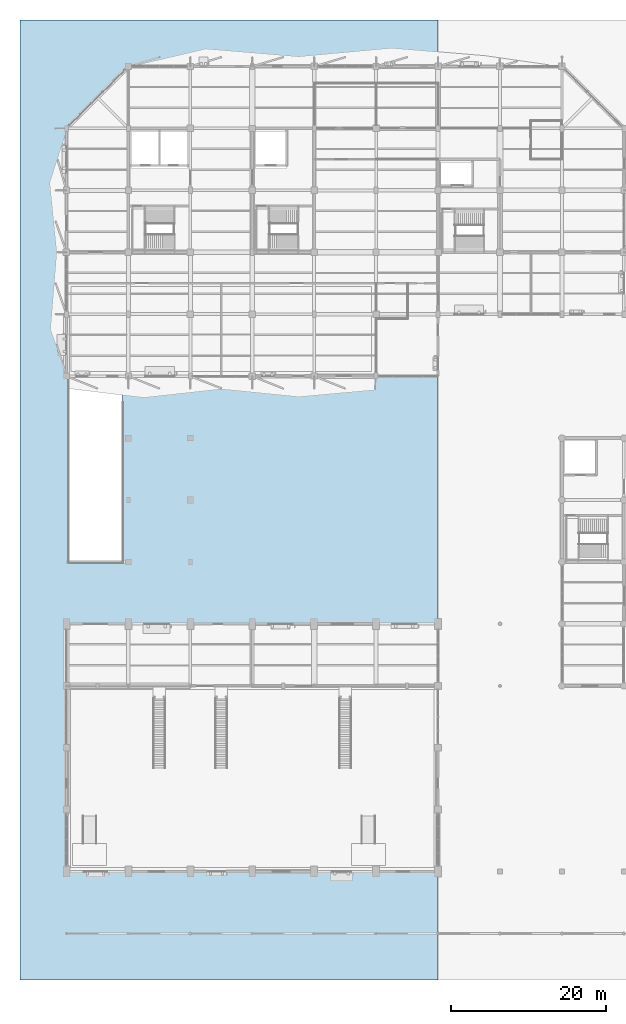
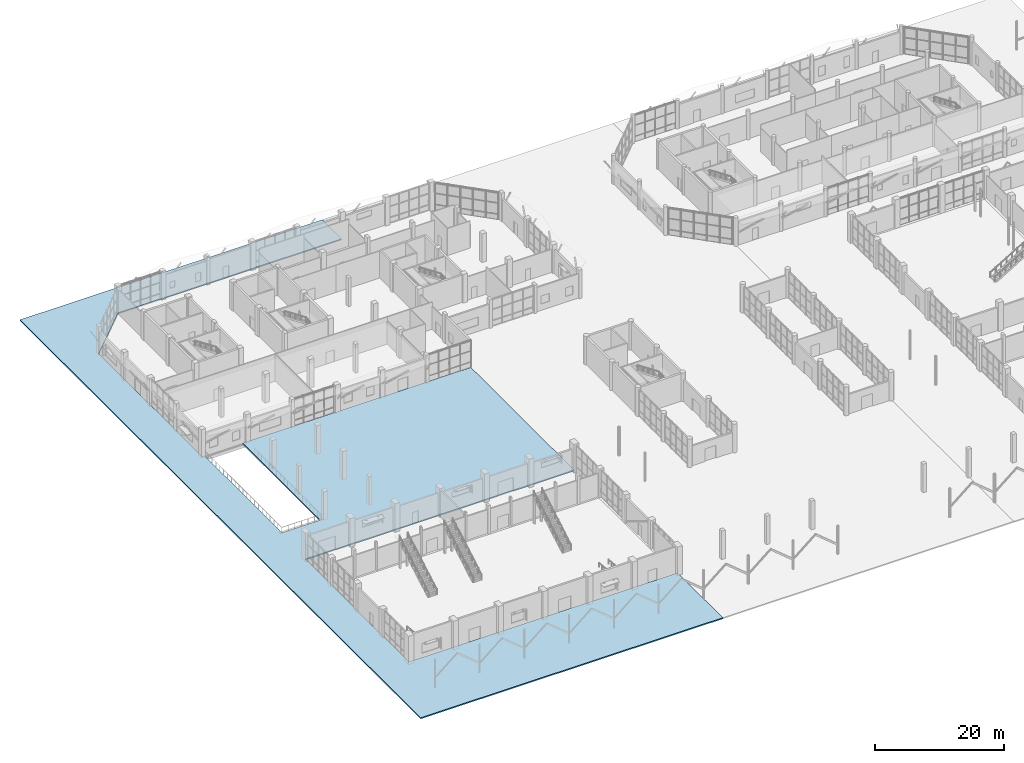
# One storey, part 69 of 123: 1 slab.
"""IFC4 building model written with IfcOpenShell, lengths in metres."""

import ifcopenshell
import ifcopenshell.guid

model = None  # the IFC model being written
_history = None  # IfcOwnerHistory: only IFC2X3 demands one
_inside = {}  # id of a spatial element -> (the spatial element, [elements in it])
_under = {}  # id of a project, library or spatial element -> (it, [spatial elements below it])
_declared = {}  # id of a project -> (the project, [libraries it declares])
_typed = {}  # id of a type object -> (the type object, [elements of that type])
_made_of = {}  # id of a material, layer set ... -> (it, [elements and type objects made of it])


def new_model(schema):
    """Start an empty IFC model of exactly this schema.

    Asked for "IFC4X3", IfcOpenShell would pick the latest addendum, in which some entities
    have other attributes; the version numbers below select the first issue.
    IFC2X3 requires an IfcOwnerHistory on every rooted entity: one is made here for all.
    """
    global model, _history
    if schema == "IFC4X3":
        model = ifcopenshell.file(schema_version=(4, 3, 0, 0))
    else:
        model = ifcopenshell.file(schema=schema)
    _inside.clear()
    _under.clear()
    _declared.clear()
    _typed.clear()
    _made_of.clear()
    _history = None
    if model.schema == "IFC2X3":
        org = make("IfcOrganization", Name="unknown")
        user = make(
            "IfcPersonAndOrganization",
            ThePerson=make("IfcPerson", FamilyName="unknown"),
            TheOrganization=org,
        )
        app = make(
            "IfcApplication",
            ApplicationDeveloper=org,
            Version="unknown",
            ApplicationFullName="unknown",
            ApplicationIdentifier="unknown",
        )
        _history = make(
            "IfcOwnerHistory",
            OwningUser=user,
            OwningApplication=app,
            ChangeAction="ADDED",
            CreationDate=0,
        )
    return model


def make(cls, **values):
    """One entity of the class cls with the attributes given. An attribute that is None is left unset."""
    return model.create_entity(
        cls, **{name: value for name, value in values.items() if value is not None}
    )


def rooted(cls, **values):
    """An entity with a GlobalId (a new one), such as an element, a storey or a relation."""
    return make(cls, GlobalId=ifcopenshell.guid.new(), OwnerHistory=_history, **values)


def si_unit(unit_type, name, prefix=None):
    """IfcSIUnit, for example si_unit("LENGTHUNIT", "METRE", prefix="MILLI")."""
    return make("IfcSIUnit", UnitType=unit_type, Prefix=prefix, Name=name)


def assignment(units):
    """IfcUnitAssignment: the units of a project."""
    return None if units is None else make("IfcUnitAssignment", Units=units)


def point(xyz):
    """IfcCartesianPoint."""
    return None if xyz is None else make("IfcCartesianPoint", Coordinates=xyz)


def direction(xyz):
    """IfcDirection."""
    return None if xyz is None else make("IfcDirection", DirectionRatios=xyz)


def frame(location, z_axis=None, x_axis=None):
    """IfcAxis2Placement3D, a coordinate frame: its origin and axes. An axis left out is left unset."""
    return make(
        "IfcAxis2Placement3D",
        Location=point(location),
        Axis=direction(z_axis),
        RefDirection=direction(x_axis),
    )


def origin():
    """The frame at (0, 0, 0) with its axes left unset."""
    return frame((0.0, 0.0, 0.0))


def place(relative_to, where):
    """IfcLocalPlacement: puts the frame where relative to a parent placement (None: the world)."""
    return make(
        "IfcLocalPlacement", PlacementRelTo=relative_to, RelativePlacement=where
    )


def context(
    kind, dimensions, precision=None, world=None, true_north=None, identifier=None
):
    """IfcGeometricRepresentationContext, for example the 3D "Model" context."""
    return make(
        "IfcGeometricRepresentationContext",
        ContextIdentifier=identifier,
        ContextType=kind,
        CoordinateSpaceDimension=dimensions,
        Precision=precision,
        WorldCoordinateSystem=world,
        TrueNorth=true_north,
    )


def subcontext(parent, identifier, kind, view, scale=None):
    """IfcGeometricRepresentationSubContext, for example "Body" below "Model"."""
    return make(
        "IfcGeometricRepresentationSubContext",
        ContextIdentifier=identifier,
        ContextType=kind,
        ParentContext=parent,
        TargetScale=scale,
        TargetView=view,
    )


def project(units=None, contexts=None):
    """IfcProject with its units and contexts."""
    return rooted(
        "IfcProject",
        Name="project",
        RepresentationContexts=contexts,
        UnitsInContext=assignment(units),
    )


def spatial(cls, under=None, at=None, **own):
    """A site, building, storey or space (cls), placed at a placement, below another one or the project."""
    s = rooted(cls, ObjectPlacement=at, **own)
    if under is not None:
        _under.setdefault(under.id(), (under, []))[1].append(s)
    return s


def polyline(points):
    """IfcPolyline through the points."""
    return make("IfcPolyline", Points=[point(p) for p in points])


def outline(outer, holes=None, kind="AREA"):
    """IfcArbitraryClosedProfileDef: a profile drawn as a closed curve; with holes, ...WithVoids."""
    if holes is None:
        return make("IfcArbitraryClosedProfileDef", ProfileType=kind, OuterCurve=outer)
    return make(
        "IfcArbitraryProfileDefWithVoids",
        ProfileType=kind,
        OuterCurve=outer,
        InnerCurves=holes,
    )


def extrude(swept, where, along, depth):
    """IfcExtrudedAreaSolid: the profile swept, set in the frame where, extruded along a direction by depth."""
    return make(
        "IfcExtrudedAreaSolid",
        SweptArea=swept,
        Position=where,
        ExtrudedDirection=direction(along),
        Depth=depth,
    )


def shape(context_of_items, identifier, shape_type, items):
    """IfcShapeRepresentation: the items that make up one representation, for example the "Body"."""
    return make(
        "IfcShapeRepresentation",
        ContextOfItems=context_of_items,
        RepresentationIdentifier=identifier,
        RepresentationType=shape_type,
        Items=items,
    )


def material(Name=None, Category=None):
    """IfcMaterial."""
    return make("IfcMaterial", Name=Name, Category=Category)


def layer(
    of_material, thickness, ventilated=None, Name=None, Category=None, Priority=None
):
    """IfcMaterialLayer: one layer of a wall or slab, of a material (None: an air gap)."""
    return make(
        "IfcMaterialLayer",
        Material=of_material,
        LayerThickness=thickness,
        IsVentilated=ventilated,
        Name=Name,
        Category=Category,
        Priority=Priority,
    )


def layer_set(layers, Name=None):
    """IfcMaterialLayerSet."""
    return make("IfcMaterialLayerSet", MaterialLayers=layers, LayerSetName=Name)


def made_of(thing, what):
    """Note that an element or type object is made of a material, layer set ...; save() writes the relation."""
    if what is not None:
        _made_of.setdefault(what.id(), (what, []))[1].append(thing)
    return thing


def type_object(cls, material=None, **own):
    """A type object (cls), such as IfcWallType, which elements share."""
    return made_of(rooted(cls, **own), material)


def element(
    cls,
    number,
    at=None,
    inside=None,
    cuts=None,
    type_object=None,
    material=None,
    context=None,
    identifier="Body",
    shape_type=None,
    held_by="IfcProductDefinitionShape",
    body=None,
    shapes=None,
    **own,
):
    """One element of the class cls, such as IfcWall. Its Tag is "e" and its number.

    at: its placement. inside: the storey or other place that contains it. cuts: it is an
    opening in that element (IfcRelVoidsElement). A single representation is given by context,
    identifier, shape_type and body (its items); several are given by shapes. held_by: the class
    of the entity that holds the representations. save() writes the other relations.
    """
    e = rooted(cls, Tag="e%d" % number, ObjectPlacement=at, **own)
    if body is not None:
        shapes = [shape(context, identifier, shape_type, body)]
    if shapes is not None:
        e.Representation = make(held_by, Representations=shapes)
    if inside is not None:
        _inside.setdefault(inside.id(), (inside, []))[1].append(e)
    if cuts is not None:
        rooted(
            "IfcRelVoidsElement", RelatingBuildingElement=cuts, RelatedOpeningElement=e
        )
    if type_object is not None:
        _typed.setdefault(type_object.id(), (type_object, []))[1].append(e)
    return made_of(e, material)


def aggregate(whole, parts):
    """IfcRelAggregates: a whole, such as a stair, and the parts it consists of."""
    return rooted("IfcRelAggregates", RelatingObject=whole, RelatedObjects=parts)


def save(model, path):
    """Write the relations noted so far, then the file.

    IfcRelAggregates (storeys below a building ...), IfcRelContainedInSpatialStructure (elements
    in a storey), IfcRelDefinesByType, IfcRelAssociatesMaterial and IfcRelDeclares: one each for
    every whole, place, type object, material and project.
    """
    for whole, parts in _under.values():
        aggregate(whole, parts)
    for where, things in _inside.values():
        rooted(
            "IfcRelContainedInSpatialStructure",
            RelatedElements=things,
            RelatingStructure=where,
        )
    for kind, things in _typed.values():
        rooted("IfcRelDefinesByType", RelatedObjects=things, RelatingType=kind)
    for what, things in _made_of.values():
        rooted("IfcRelAssociatesMaterial", RelatedObjects=things, RelatingMaterial=what)
    for by, libraries in _declared.values():
        rooted("IfcRelDeclares", RelatingContext=by, RelatedDefinitions=libraries)
    model.write(path)


model = new_model("IFC4")

# Units and contexts
model_context = context("Model", 3, precision=1e-05, world=origin(), true_north=direction((0.0, 1.0)))
body_context = subcontext(model_context, "Body", "Model", "MODEL_VIEW")
ifc_project = project(units=[si_unit("LENGTHUNIT", "METRE"), si_unit("AREAUNIT", "SQUARE_METRE"), si_unit("VOLUMEUNIT", "CUBIC_METRE"), si_unit("PLANEANGLEUNIT", "RADIAN"), si_unit("MASSUNIT", "GRAM", prefix="KILO")], contexts=[model_context])

# Site, building, storey
site_placement = place(None, origin())
site = spatial("IfcSite", under=ifc_project, at=site_placement, CompositionType="ELEMENT")
building_placement = place(site_placement, origin())
building = spatial("IfcBuilding", under=site, at=building_placement, Name="Tenunan Teduh Sports Hall", CompositionType="ELEMENT")
storey_placement = place(building_placement, origin())
storey = spatial("IfcBuildingStorey", under=building, at=storey_placement, Name="L00", CompositionType="ELEMENT", Elevation=0.0)

# Slab
ifc_material = material(Name="Concrete C40/50", Category="concrete")
ifc_layer = layer(ifc_material, 0.219970703125)
ifc_layer_set = layer_set([ifc_layer], Name="Concrete C40/50")
slab_type = type_object("IfcSlabType", Name="SLB-PLZ-220", PredefinedType="BASESLAB", material=ifc_layer_set)
slab_placement = place(storey_placement, frame((0.0, 0.0, -0.219970703125)))
element("IfcSlab", 1, at=slab_placement, inside=storey, type_object=slab_type, Name="Island Block Landscaped Ground Plaza 1", PredefinedType="BASESLAB", context=body_context, shape_type="SweptSolid", body=[
    extrude(outline(polyline([(54.0, 0.0), (0.0, 0.0), (0.0, 124.0), (54.0, 124.0), (54.0, 118.010009765625), (13.99609375, 118.010009765625), (5.989990234375, 110.00390625), (5.989990234375, 77.989990234375), (6.39990234375, 77.989990234375), (6.39990234375, 54.0), (13.199951171875, 54.0), (13.199951171875, 77.989990234375), (54.0, 77.989990234375), (54.0, 46.010009765625), (5.989990234375, 46.010009765625), (5.989990234375, 13.989990234375), (54.0, 13.989990234375), (54.0, 0.0)])), origin(), (0.0, 0.0, 1.0), 0.219970703125),
])

save(model, "model.ifc")
